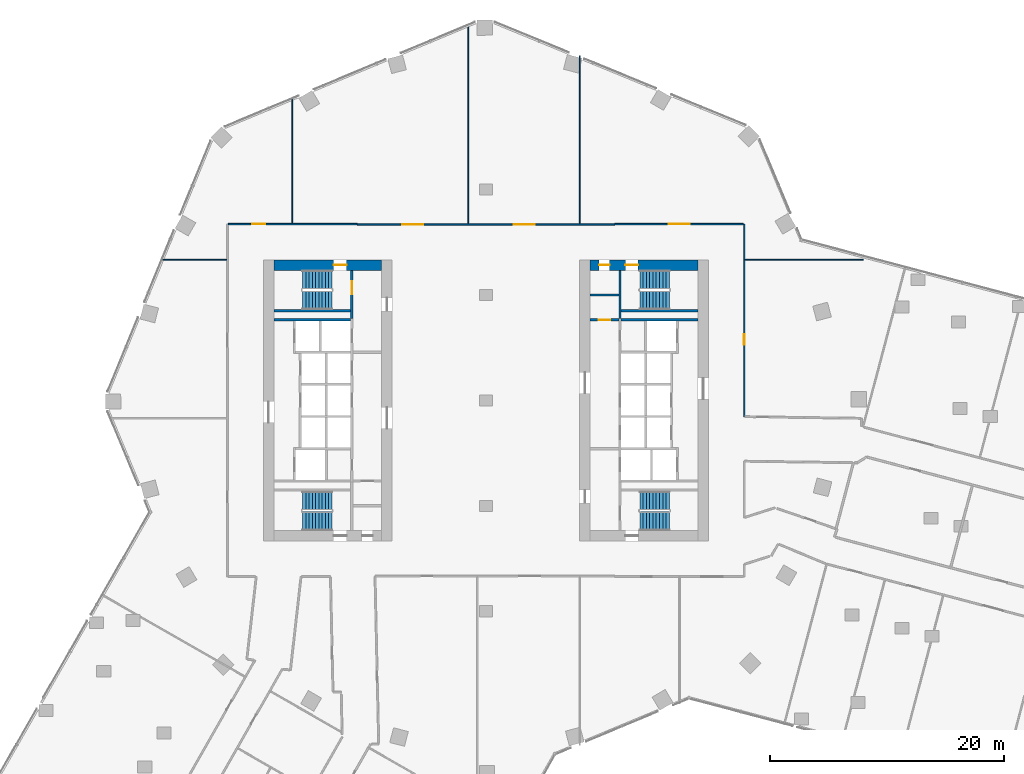
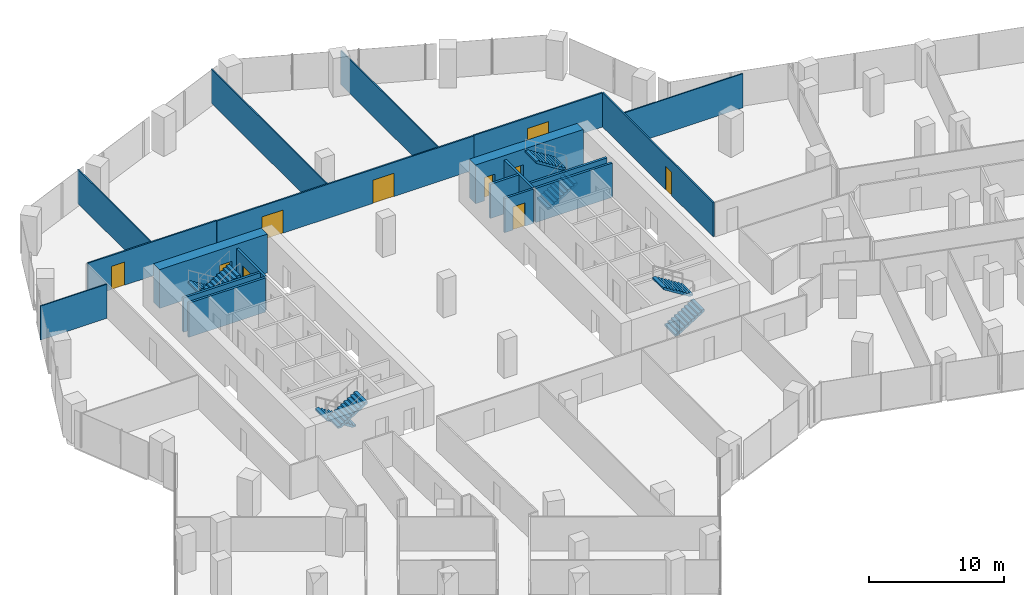
# One storey, part 30 of 34: 19 walls, 10 doors, 8 stair flights, 10 openings, 4 elements without a shape of their own.
"""IFC4 building model written with IfcOpenShell, lengths in metres."""

from ifc_helpers import new_model, si_unit, direction, frame, frame_2d, origin, place, context, subcontext, project, spatial, polyline, rectangle, outline, extrude, material, layer, layer_set, type_object, element, fill, aggregate, save


model = new_model("IFC4")

# Units and contexts
model_context = context("Model", 3, precision=1e-05, world=origin(), true_north=direction((0.0, 1.0)))
body_context = subcontext(model_context, "Body", "Model", "MODEL_VIEW")
ifc_project = project(units=[si_unit("LENGTHUNIT", "METRE"), si_unit("AREAUNIT", "SQUARE_METRE"), si_unit("VOLUMEUNIT", "CUBIC_METRE"), si_unit("PLANEANGLEUNIT", "RADIAN"), si_unit("MASSUNIT", "GRAM", prefix="KILO")], contexts=[model_context])

# Site, building, storey
site_placement = place(None, origin())
site = spatial("IfcSite", under=ifc_project, at=site_placement, CompositionType="ELEMENT")
building_placement = place(site_placement, origin())
building = spatial("IfcBuilding", under=site, at=building_placement, Name="Orlundy Tower", CompositionType="ELEMENT")
storey_placement = place(building_placement, frame((0.0, 0.0, 112.699951171875)))
storey = spatial("IfcBuildingStorey", under=building, at=storey_placement, Name="L28", CompositionType="ELEMENT", Elevation=112.699951171875)

# Wall, opening, door
ifc_material_1 = material(Name="Concrete C80/95", Category="concrete")
ifc_layer_1 = layer(ifc_material_1, 0.89990234375)
ifc_layer_set_1 = layer_set([ifc_layer_1], Name="CORE WALL 900 C80/95")
wall_type_1 = type_object("IfcWallType", Name="CORE WALL 900 C80/95", PredefinedType="SHEAR", material=ifc_layer_set_1)
wall_1_placement = place(storey_placement, frame((-18.10009765625, 11.550048828125, 0.0), z_axis=(0.0, 0.0, 1.0), x_axis=(1.0, 0.0, 0.0)))
wall_1 = element("IfcWall", 1, at=wall_1_placement, inside=storey, type_object=wall_type_1, Name="Core wall W-N L28", PredefinedType="SHEAR", context=body_context, shape_type="SweptSolid", body=[
    extrude(rectangle(XDim=9.2001953125, YDim=0.89990234375, at=frame_2d((4.60009765625, 0.0))), origin(), (0.0, 0.0, 1.0), 3.5),
])
opening_1_placement = place(wall_1_placement, frame((5.10009765625, 0.0, 0.0)))
opening_1 = element("IfcOpeningElement", 2, at=opening_1_placement, cuts=wall_1, Name="Opening 21012", PredefinedType="OPENING", context=body_context, shape_type="SweptSolid", body=[
    extrude(rectangle(XDim=1.10009765625, YDim=2.10009765625, at=frame_2d((0.550048828125, 1.050048828125))), frame((0.0, 0.4599609375, 0.0), z_axis=(0.0, -1.0, 0.0), x_axis=(1.0, 0.0, 0.0)), (0.0, 0.0, 1.0), 0.919921875),
])
ifc_material_2 = material(Name="Steel door set", Category="steel")
door_type_1 = type_object("IfcDoorType", Name="Stair Door 1100x2100", OperationType="SINGLE_SWING_LEFT", PredefinedType="DOOR", material=ifc_material_2)
door_1_placement = place(opening_1_placement, origin())
door_1 = element("IfcDoor", 3, at=door_1_placement, inside=storey, type_object=door_type_1, Name="Stair door 21012", OperationType="SINGLE_SWING_RIGHT", OverallHeight=2.10009765625, OverallWidth=1.10009765625, PredefinedType="DOOR", context=body_context, shape_type="SweptSolid", body=[
    extrude(rectangle(XDim=1.10009765625, YDim=2.10009765625, at=frame_2d((0.550048828125, 1.050048828125))), frame((0.0, 0.02490234375, 0.0), z_axis=(0.0, -1.0, 0.0), x_axis=(1.0, 0.0, 0.0)), (0.0, 0.0, 1.0), 0.050048828125),
])
fill(opening_1, door_1)

# Wall, openings, doors
wall_2_placement = place(storey_placement, frame((8.89990234375, 11.550048828125, 0.0), z_axis=(0.0, 0.0, 1.0), x_axis=(1.0, 0.0, 0.0)))
wall_2 = element("IfcWall", 4, at=wall_2_placement, inside=storey, type_object=wall_type_1, Name="Core wall E-N L28", PredefinedType="SHEAR", context=body_context, shape_type="SweptSolid", body=[
    extrude(rectangle(XDim=9.2001953125, YDim=0.89990234375, at=frame_2d((4.60009765625, 0.0))), origin(), (0.0, 0.0, 1.0), 3.5),
])
opening_2_placement = place(wall_2_placement, frame((3.0, 0.0, 0.0)))
opening_2 = element("IfcOpeningElement", 5, at=opening_2_placement, cuts=wall_2, Name="Opening 21062", PredefinedType="OPENING", context=body_context, shape_type="SweptSolid", body=[
    extrude(rectangle(XDim=1.10009765625, YDim=2.10009765625, at=frame_2d((0.550048828125, 1.050048828125))), frame((0.0, 0.4599609375, 0.0), z_axis=(0.0, -1.0, 0.0), x_axis=(1.0, 0.0, 0.0)), (0.0, 0.0, 1.0), 0.919921875),
])
opening_3_placement = place(wall_2_placement, frame((0.77001953125, 0.0, 0.0)))
opening_3 = element("IfcOpeningElement", 6, at=opening_3_placement, cuts=wall_2, Name="Opening 21064", PredefinedType="OPENING", context=body_context, shape_type="SweptSolid", body=[
    extrude(rectangle(XDim=0.89990234375, YDim=2.10009765625, at=frame_2d((0.449951171875, 1.050048828125))), frame((0.0, 0.4599609375, 0.0), z_axis=(0.0, -1.0, 0.0), x_axis=(1.0, 0.0, 0.0)), (0.0, 0.0, 1.0), 0.919921875),
])
ifc_material_3 = material(Name="Timber door set", Category="wood")
door_type_2 = type_object("IfcDoorType", Name="Room Door 900x2100", OperationType="SINGLE_SWING_LEFT", PredefinedType="DOOR", material=ifc_material_3)
door_2_placement = place(opening_3_placement, origin())
door_2 = element("IfcDoor", 7, at=door_2_placement, inside=storey, type_object=door_type_2, Name="Store door 21064", OperationType="SINGLE_SWING_LEFT", OverallHeight=2.10009765625, OverallWidth=0.89990234375, PredefinedType="DOOR", context=body_context, shape_type="SweptSolid", body=[
    extrude(rectangle(XDim=0.89990234375, YDim=2.10009765625, at=frame_2d((0.449951171875, 1.050048828125))), frame((0.0, 0.02490234375, 0.0), z_axis=(0.0, -1.0, 0.0), x_axis=(1.0, 0.0, 0.0)), (0.0, 0.0, 1.0), 0.050048828125),
])
fill(opening_3, door_2)
door_3_placement = place(opening_2_placement, origin())
door_3 = element("IfcDoor", 8, at=door_3_placement, inside=storey, type_object=door_type_1, Name="Stair door 21062", OperationType="SINGLE_SWING_LEFT", OverallHeight=2.10009765625, OverallWidth=1.10009765625, PredefinedType="DOOR", context=body_context, shape_type="SweptSolid", body=[
    extrude(rectangle(XDim=1.10009765625, YDim=2.10009765625, at=frame_2d((0.550048828125, 1.050048828125))), frame((0.0, 0.02490234375, 0.0), z_axis=(0.0, -1.0, 0.0), x_axis=(1.0, 0.0, 0.0)), (0.0, 0.0, 1.0), 0.050048828125),
])
fill(opening_2, door_3)

# Walls
ifc_material_4 = material(Name="Gypsum board partition")
ifc_layer_2 = layer(ifc_material_4, 0.10009765625)
ifc_layer_set_2 = layer_set([ifc_layer_2], Name="Floor partition 100")
wall_type_2 = type_object("IfcWallType", Name="Floor partition 100", PredefinedType="PARTITIONING", material=ifc_layer_set_2)
wall_3_placement = place(storey_placement, frame((-27.77392578125, 12.0, 0.0), z_axis=(0.0, 0.0, 1.0), x_axis=(1.0, 0.0, 0.0)))
element("IfcWall", 9, at=wall_3_placement, inside=storey, type_object=wall_type_2, Name="wall-int-L28-036", PredefinedType="PARTITIONING", context=body_context, shape_type="SweptSolid", body=[
    extrude(rectangle(XDim=5.660888671875, YDim=0.10009765625, at=frame_2d((2.83056640625, 0.0))), origin(), (0.0, 0.0, 1.0), 3.080078125),
])
wall_4_placement = place(storey_placement, frame((22.113037109375, 12.0, 0.0), z_axis=(0.0, 0.0, 1.0), x_axis=(1.0, 0.0, 0.0)))
element("IfcWall", 10, at=wall_4_placement, inside=storey, type_object=wall_type_2, Name="wall-int-L28-037", PredefinedType="PARTITIONING", context=body_context, shape_type="SweptSolid", body=[
    extrude(rectangle(XDim=10.113037109375, YDim=0.10009765625, at=frame_2d((5.056640625, 0.0))), origin(), (0.0, 0.0, 1.0), 3.080078125),
])
wall_5_placement = place(storey_placement, frame((8.0, 15.06298828125, 0.0), z_axis=(0.0, 0.0, 1.0), x_axis=(0.0, 1.0, 0.0)))
element("IfcWall", 11, at=wall_5_placement, inside=storey, type_object=wall_type_2, Name="wall-int-L28-078", PredefinedType="PARTITIONING", context=body_context, shape_type="SweptSolid", body=[
    extrude(rectangle(XDim=14.35400390625, YDim=0.10009765625, at=frame_2d((7.177001953125, 0.0))), origin(), (0.0, 0.0, 1.0), 3.080078125),
])
wall_6_placement = place(storey_placement, frame((-1.4951171875, 15.06298828125, 0.0), z_axis=(0.0, 0.0, 1.0), x_axis=(0.0, 1.0, 0.0)))
element("IfcWall", 12, at=wall_6_placement, inside=storey, type_object=wall_type_2, Name="wall-int-L28-080", PredefinedType="PARTITIONING", context=body_context, shape_type="SweptSolid", body=[
    extrude(rectangle(XDim=17.094970703125, YDim=0.10009765625, at=frame_2d((8.54736328125, 0.0))), origin(), (0.0, 0.0, 1.0), 3.080078125),
])
wall_7_placement = place(storey_placement, frame((-16.52001953125, 15.114013671875, 0.0), z_axis=(0.0, 0.0, 1.0), x_axis=(0.0, 1.0, 0.0)))
element("IfcWall", 13, at=wall_7_placement, inside=storey, type_object=wall_type_2, Name="wall-int-L28-081", PredefinedType="PARTITIONING", context=body_context, shape_type="SweptSolid", body=[
    extrude(rectangle(XDim=10.76904296875, YDim=0.10009765625, at=frame_2d((5.384521484375, 0.0))), origin(), (0.0, 0.0, 1.0), 3.080078125),
])

# Wall, openings, doors
ifc_material_5 = material(Name="Gypsum board partition, double layer")
ifc_layer_3 = layer(ifc_material_5, 0.125)
ifc_layer_set_3 = layer_set([ifc_layer_3], Name="Floor partition 125")
wall_type_3 = type_object("IfcWallType", Name="Floor partition 125", PredefinedType="PARTITIONING", material=ifc_layer_set_3)
wall_8_placement = place(storey_placement, frame((-10.989990234375, 15.0009765625, 0.0), z_axis=(0.0, 0.0, 1.0), x_axis=(1.0, 0.0, 0.0)))
wall_8 = element("IfcWall", 14, at=wall_8_placement, inside=storey, type_object=wall_type_3, Name="wall-int-L28-038", PredefinedType="PARTITIONING", context=body_context, shape_type="SweptSolid", body=[
    extrude(rectangle(XDim=21.97998046875, YDim=0.125, at=frame_2d((10.989990234375, 0.0))), origin(), (0.0, 0.0, 1.0), 3.080078125),
])
opening_4_placement = place(wall_8_placement, frame((13.344970703125, 0.0, 0.0)))
opening_4 = element("IfcOpeningElement", 15, at=opening_4_placement, cuts=wall_8, Name="Opening 21130", PredefinedType="OPENING", context=body_context, shape_type="SweptSolid", body=[
    extrude(rectangle(XDim=1.800048828125, YDim=2.10009765625, at=frame_2d((0.89990234375, 1.050048828125))), frame((0.0, 0.072509765625, 0.0), z_axis=(0.0, -1.0, 0.0), x_axis=(1.0, 0.0, 0.0)), (0.0, 0.0, 1.0), 0.14501953125),
])
opening_5_placement = place(wall_8_placement, frame((3.85009765625, 0.0, 0.0)))
opening_5 = element("IfcOpeningElement", 16, at=opening_5_placement, cuts=wall_8, Name="Opening 21131", PredefinedType="OPENING", context=body_context, shape_type="SweptSolid", body=[
    extrude(rectangle(XDim=1.800048828125, YDim=2.10009765625, at=frame_2d((0.89990234375, 1.050048828125))), frame((0.0, 0.072509765625, 0.0), z_axis=(0.0, -1.0, 0.0), x_axis=(1.0, 0.0, 0.0)), (0.0, 0.0, 1.0), 0.14501953125),
])
ifc_material_6 = material(Name="Timber door leaf", Category="wood")
door_type_3 = type_object("IfcDoorType", Name="Floor door double 1800 FD30S", OperationType="NOTDEFINED", PredefinedType="DOOR", material=ifc_material_6)
door_4_placement = place(opening_4_placement, origin())
door_4 = element("IfcDoor", 17, at=door_4_placement, inside=storey, type_object=door_type_3, Name="Door 21130", OperationType="DOUBLE_DOOR_SINGLE_SWING", OverallHeight=2.10009765625, OverallWidth=1.800048828125, PredefinedType="DOOR", context=body_context, shape_type="SweptSolid", body=[
    extrude(rectangle(XDim=1.800048828125, YDim=2.10009765625, at=frame_2d((0.89990234375, 1.050048828125))), frame((0.0, 0.02490234375, 0.0), z_axis=(0.0, -1.0, 0.0), x_axis=(1.0, 0.0, 0.0)), (0.0, 0.0, 1.0), 0.050048828125),
])
fill(opening_4, door_4)
door_5_placement = place(opening_5_placement, origin())
door_5 = element("IfcDoor", 18, at=door_5_placement, inside=storey, type_object=door_type_3, Name="Door 21131", OperationType="DOUBLE_DOOR_SINGLE_SWING", OverallHeight=2.10009765625, OverallWidth=1.800048828125, PredefinedType="DOOR", context=body_context, shape_type="SweptSolid", body=[
    extrude(rectangle(XDim=1.800048828125, YDim=2.10009765625, at=frame_2d((0.89990234375, 1.050048828125))), frame((0.0, 0.02490234375, 0.0), z_axis=(0.0, -1.0, 0.0), x_axis=(1.0, 0.0, 0.0)), (0.0, 0.0, 1.0), 0.050048828125),
])
fill(opening_5, door_5)

# Wall, opening, door
wall_9_placement = place(storey_placement, frame((-21.988037109375, 15.051025390625, 0.0), z_axis=(0.0, 0.0, 1.0), x_axis=(1.0, 0.0, 0.0)))
wall_9 = element("IfcWall", 19, at=wall_9_placement, inside=storey, type_object=wall_type_3, Name="wall-int-L28-039", PredefinedType="PARTITIONING", context=body_context, shape_type="SweptSolid", body=[
    extrude(rectangle(XDim=10.9970703125, YDim=0.125, at=frame_2d((5.49853515625, 0.0))), origin(), (0.0, 0.0, 1.0), 3.080078125),
])
opening_6_placement = place(wall_9_placement, frame((2.03759765625, 0.0, 0.0)))
opening_6 = element("IfcOpeningElement", 20, at=opening_6_placement, cuts=wall_9, Name="Opening 21132", PredefinedType="OPENING", context=body_context, shape_type="SweptSolid", body=[
    extrude(rectangle(XDim=1.10009765625, YDim=2.10009765625, at=frame_2d((0.550048828125, 1.050048828125))), frame((0.0, 0.072509765625, 0.0), z_axis=(0.0, -1.0, 0.0), x_axis=(1.0, 0.0, 0.0)), (0.0, 0.0, 1.0), 0.14501953125),
])
ifc_material_7 = material(Name="Timber door leaf", Category="wood")
door_type_4 = type_object("IfcDoorType", Name="Floor door xwide 1100 FD30S", OperationType="NOTDEFINED", PredefinedType="DOOR", material=ifc_material_7)
door_6_placement = place(opening_6_placement, origin())
door_6 = element("IfcDoor", 21, at=door_6_placement, inside=storey, type_object=door_type_4, Name="Door 21132", OperationType="SINGLE_SWING_LEFT", OverallHeight=2.10009765625, OverallWidth=1.10009765625, PredefinedType="DOOR", context=body_context, shape_type="SweptSolid", body=[
    extrude(rectangle(XDim=1.10009765625, YDim=2.10009765625, at=frame_2d((0.550048828125, 1.050048828125))), frame((0.0, 0.02490234375, 0.0), z_axis=(0.0, -1.0, 0.0), x_axis=(1.0, 0.0, 0.0)), (0.0, 0.0, 1.0), 0.050048828125),
])
fill(opening_6, door_6)

wall_10_placement = place(storey_placement, frame((10.990966796875, 15.051025390625, 0.0), z_axis=(0.0, 0.0, 1.0), x_axis=(1.0, 0.0, 0.0)))
wall_10 = element("IfcWall", 22, at=wall_10_placement, inside=storey, type_object=wall_type_3, Name="wall-int-L28-040", PredefinedType="PARTITIONING", context=body_context, shape_type="SweptSolid", body=[
    extrude(rectangle(XDim=10.9970703125, YDim=0.125, at=frame_2d((5.49853515625, 0.0))), origin(), (0.0, 0.0, 1.0), 3.080078125),
])
opening_7_placement = place(wall_10_placement, frame((4.60009765625, 0.0, 0.0)))
opening_7 = element("IfcOpeningElement", 23, at=opening_7_placement, cuts=wall_10, Name="Opening 21129", PredefinedType="OPENING", context=body_context, shape_type="SweptSolid", body=[
    extrude(rectangle(XDim=1.800048828125, YDim=2.10009765625, at=frame_2d((0.89990234375, 1.050048828125))), frame((0.0, 0.072509765625, 0.0), z_axis=(0.0, -1.0, 0.0), x_axis=(1.0, 0.0, 0.0)), (0.0, 0.0, 1.0), 0.14501953125),
])
door_7_placement = place(opening_7_placement, origin())
door_7 = element("IfcDoor", 24, at=door_7_placement, inside=storey, type_object=door_type_3, Name="Door 21129", OperationType="DOUBLE_DOOR_SINGLE_SWING", OverallHeight=2.10009765625, OverallWidth=1.800048828125, PredefinedType="DOOR", context=body_context, shape_type="SweptSolid", body=[
    extrude(rectangle(XDim=1.800048828125, YDim=2.10009765625, at=frame_2d((0.89990234375, 1.050048828125))), frame((0.0, 0.02490234375, 0.0), z_axis=(0.0, -1.0, 0.0), x_axis=(1.0, 0.0, 0.0)), (0.0, 0.0, 1.0), 0.050048828125),
])
fill(opening_7, door_7)

wall_11_placement = place(storey_placement, frame((22.051025390625, 15.050048828125, 0.0), z_axis=(0.0, 0.0, 1.0), x_axis=(0.0, -1.0, 0.0)))
wall_11 = element("IfcWall", 25, at=wall_11_placement, inside=storey, type_object=wall_type_3, Name="wall-int-L28-075", PredefinedType="PARTITIONING", context=body_context, shape_type="SweptSolid", body=[
    extrude(rectangle(XDim=16.43603515625, YDim=0.125, at=frame_2d((8.218017578125, 0.0))), origin(), (0.0, 0.0, 1.0), 3.080078125),
])
opening_8_placement = place(wall_11_placement, frame((9.39990234375, 0.0, 0.0)))
opening_8 = element("IfcOpeningElement", 26, at=opening_8_placement, cuts=wall_11, Name="Opening 21127", PredefinedType="OPENING", context=body_context, shape_type="SweptSolid", body=[
    extrude(rectangle(XDim=0.89990234375, YDim=2.10009765625, at=frame_2d((0.449951171875, 1.050048828125))), frame((0.0, 0.072509765625, 0.0), z_axis=(0.0, -1.0, 0.0), x_axis=(1.0, 0.0, 0.0)), (0.0, 0.0, 1.0), 0.14501953125),
])
ifc_material_8 = material(Name="Timber door leaf", Category="wood")
door_type_5 = type_object("IfcDoorType", Name="Floor door single 900 FD30S", OperationType="NOTDEFINED", PredefinedType="DOOR", material=ifc_material_8)
door_8_placement = place(opening_8_placement, origin())
door_8 = element("IfcDoor", 27, at=door_8_placement, inside=storey, type_object=door_type_5, Name="Door 21127", OperationType="SINGLE_SWING_RIGHT", OverallHeight=2.10009765625, OverallWidth=0.89990234375, PredefinedType="DOOR", context=body_context, shape_type="SweptSolid", body=[
    extrude(rectangle(XDim=0.89990234375, YDim=2.10009765625, at=frame_2d((0.449951171875, 1.050048828125))), frame((0.0, 0.02490234375, 0.0), z_axis=(0.0, -1.0, 0.0), x_axis=(1.0, 0.0, 0.0)), (0.0, 0.0, 1.0), 0.050048828125),
])
fill(opening_8, door_8)

ifc_material_9 = material(Name="Concrete C40/50", Category="concrete")
ifc_layer_4 = layer(ifc_material_9, 0.199951171875)
ifc_layer_set_4 = layer_set([ifc_layer_4], Name="Load-bearing Shaft Wall 200")
wall_type_4 = type_object("IfcWallType", Name="Load-bearing Shaft Wall 200", PredefinedType="SOLIDWALL", material=ifc_layer_set_4)
wall_12_placement = place(storey_placement, frame((-11.43994140625, 6.97509765625, 0.0), z_axis=(0.0, 0.0, 1.0), x_axis=(0.0, 1.0, 0.0)))
wall_12 = element("IfcWall", 28, at=wall_12_placement, inside=storey, type_object=wall_type_4, Name="Shaft wall W21-stair-end-n", PredefinedType="SOLIDWALL", context=body_context, shape_type="SweptSolid", body=[
    extrude(rectangle(XDim=4.125, YDim=0.199951171875, at=frame_2d((2.0625, 0.0))), origin(), (0.0, 0.0, 1.0), 3.090087890625),
])
opening_9_placement = place(wall_12_placement, frame((2.10009765625, 0.0, 0.0)))
opening_9 = element("IfcOpeningElement", 29, at=opening_9_placement, cuts=wall_12, Name="Opening 21014", PredefinedType="OPENING", context=body_context, shape_type="SweptSolid", body=[
    extrude(rectangle(XDim=1.10009765625, YDim=2.10009765625, at=frame_2d((0.550048828125, 1.050048828125))), frame((0.0, 0.110107421875, 0.0), z_axis=(0.0, -1.0, 0.0), x_axis=(1.0, 0.0, 0.0)), (0.0, 0.0, 1.0), 0.22021484375),
])
ifc_material_10 = material(Name="Steel door set", Category="steel")
door_type_6 = type_object("IfcDoorType", Name="Fire-fighting Lobby Door 1100x2100", OperationType="SINGLE_SWING_LEFT", PredefinedType="DOOR", material=ifc_material_10)
door_9_placement = place(opening_9_placement, origin())
door_9 = element("IfcDoor", 30, at=door_9_placement, inside=storey, type_object=door_type_6, Name="Fire-fighting lobby to stair door 21014", OperationType="SINGLE_SWING_RIGHT", OverallHeight=2.10009765625, OverallWidth=1.10009765625, PredefinedType="DOOR", context=body_context, shape_type="SweptSolid", body=[
    extrude(rectangle(XDim=1.10009765625, YDim=2.10009765625, at=frame_2d((0.550048828125, 1.050048828125))), frame((0.0, 0.02490234375, 0.0), z_axis=(0.0, -1.0, 0.0), x_axis=(1.0, 0.0, 0.0)), (0.0, 0.0, 1.0), 0.050048828125),
])
fill(opening_9, door_9)

# Walls
wall_13_placement = place(storey_placement, frame((-11.5400390625, 7.64990234375, 0.0), z_axis=(0.0, 0.0, 1.0), x_axis=(-1.0, 0.0, 0.0)))
element("IfcWall", 31, at=wall_13_placement, inside=storey, type_object=wall_type_4, Name="Shaft wall W21-stair-side-n", PredefinedType="SOLIDWALL", context=body_context, shape_type="SweptSolid", body=[
    extrude(rectangle(XDim=6.56005859375, YDim=0.199951171875, at=frame_2d((3.280029296875, 0.0))), origin(), (0.0, 0.0, 1.0), 3.090087890625),
])
wall_14_placement = place(storey_placement, frame((11.43994140625, 11.10009765625, 0.0), z_axis=(0.0, 0.0, 1.0), x_axis=(0.0, -1.0, 0.0)))
element("IfcWall", 32, at=wall_14_placement, inside=storey, type_object=wall_type_4, Name="Shaft wall E21-stair-end-s", PredefinedType="SOLIDWALL", context=body_context, shape_type="SweptSolid", body=[
    extrude(rectangle(XDim=4.125, YDim=0.199951171875, at=frame_2d((2.0625, 0.0))), origin(), (0.0, 0.0, 1.0), 3.090087890625),
])
wall_15_placement = place(storey_placement, frame((11.5400390625, 7.64990234375, 0.0), z_axis=(0.0, 0.0, 1.0), x_axis=(1.0, 0.0, 0.0)))
element("IfcWall", 33, at=wall_15_placement, inside=storey, type_object=wall_type_4, Name="Shaft wall E21-stair-side-s", PredefinedType="SOLIDWALL", context=body_context, shape_type="SweptSolid", body=[
    extrude(rectangle(XDim=6.56005859375, YDim=0.199951171875, at=frame_2d((3.280029296875, 0.0))), origin(), (0.0, 0.0, 1.0), 3.090087890625),
])

# Wall, opening, door
ifc_material_11 = material(Name="Gypsum board partition on steel studs", Category="steel")
ifc_layer_5 = layer(ifc_material_11, 0.199951171875)
ifc_layer_set_5 = layer_set([ifc_layer_5], Name="Partition 200")
wall_type_5 = type_object("IfcWallType", Name="Partition 200", PredefinedType="PARTITIONING", material=ifc_layer_set_5)
wall_16_placement = place(storey_placement, frame((8.89990234375, 6.875, 0.0), z_axis=(0.0, 0.0, 1.0), x_axis=(1.0, 0.0, 0.0)))
wall_16 = element("IfcWall", 34, at=wall_16_placement, inside=storey, type_object=wall_type_5, Name="Partition wall E21-end-s", PredefinedType="PARTITIONING", context=body_context, shape_type="SweptSolid", body=[
    extrude(rectangle(XDim=2.440185546875, YDim=0.199951171875, at=frame_2d((1.22021484375, 0.0))), origin(), (0.0, 0.0, 1.0), 3.090087890625),
])
opening_10_placement = place(wall_16_placement, frame((0.719970703125, 0.0, 0.0)))
opening_10 = element("IfcOpeningElement", 35, at=opening_10_placement, cuts=wall_16, Name="Opening 21065", PredefinedType="OPENING", context=body_context, shape_type="SweptSolid", body=[
    extrude(rectangle(XDim=1.0, YDim=2.10009765625, at=frame_2d((0.5, 1.050048828125))), frame((0.0, 0.110107421875, 0.0), z_axis=(0.0, -1.0, 0.0), x_axis=(1.0, 0.0, 0.0)), (0.0, 0.0, 1.0), 0.22021484375),
])
ifc_material_12 = material(Name="Timber door set", Category="wood")
door_type_7 = type_object("IfcDoorType", Name="Accessible Door 1000x2100", OperationType="SINGLE_SWING_LEFT", PredefinedType="DOOR", material=ifc_material_12)
door_10_placement = place(opening_10_placement, origin())
door_10 = element("IfcDoor", 36, at=door_10_placement, inside=storey, type_object=door_type_7, Name="Accessible WC door 21065", OperationType="SINGLE_SWING_RIGHT", OverallHeight=2.10009765625, OverallWidth=1.0, PredefinedType="DOOR", context=body_context, shape_type="SweptSolid", body=[
    extrude(rectangle(XDim=1.0, YDim=2.10009765625, at=frame_2d((0.5, 1.050048828125))), frame((0.0, 0.02490234375, 0.0), z_axis=(0.0, -1.0, 0.0), x_axis=(1.0, 0.0, 0.0)), (0.0, 0.0, 1.0), 0.050048828125),
])
fill(opening_10, door_10)

# Walls
wall_17_placement = place(storey_placement, frame((8.89990234375, 9.0, 0.0), z_axis=(0.0, 0.0, 1.0), x_axis=(1.0, 0.0, 0.0)))
element("IfcWall", 37, at=wall_17_placement, inside=storey, type_object=wall_type_5, Name="Partition wall E21-room-s0", PredefinedType="PARTITIONING", context=body_context, shape_type="SweptSolid", body=[
    extrude(rectangle(XDim=2.440185546875, YDim=0.199951171875, at=frame_2d((1.22021484375, 0.0))), origin(), (0.0, 0.0, 1.0), 3.090087890625),
])
ifc_material_13 = material(Name="Fire-rated blockwork shaft wall", Category="masonry")
ifc_layer_6 = layer(ifc_material_13, 0.199951171875)
ifc_layer_set_6 = layer_set([ifc_layer_6], Name="Shaft Wall 200")
wall_type_6 = type_object("IfcWallType", Name="Shaft Wall 200", PredefinedType="SOLIDWALL", material=ifc_layer_set_6)
for number, where, z_axis, x_axis, name in (
    (38, (-11.5400390625, 6.875, 0.0), (0.0, 0.0, 1.0), (-1.0, 0.0, 0.0), "Shaft wall W21-zone-n"),
    (39, (11.5400390625, 6.875, 0.0), (0.0, 0.0, 1.0), (1.0, 0.0, 0.0), "Shaft wall E21-zone-s"),
):
    element("IfcWall", number, at=place(storey_placement, frame(where, z_axis=z_axis, x_axis=x_axis)), inside=storey, type_object=wall_type_6, Name=name, PredefinedType="SOLIDWALL", context=body_context, shape_type="SweptSolid", body=[
        extrude(rectangle(XDim=6.56005859375, YDim=0.199951171875, at=frame_2d((3.280029296875, 0.0))), origin(), (0.0, 0.0, 1.0), 3.090087890625),
    ])

# Stair, stair flights
ifc_material_14 = material(Name="Concrete C50/60", Category="concrete")
stair_type = type_object("IfcStairType", Name="Exit Stair 20 risers", PredefinedType="HALF_TURN_STAIR", material=ifc_material_14)
stair_1_placement = place(storey_placement, origin())
stair_1 = element("IfcStair", 40, at=stair_1_placement, inside=storey, type_object=stair_type, Name="L28 Exit Stair ST-W1", PredefinedType="HALF_TURN_STAIR")
ifc_material_15 = material(Name="Concrete C50/60", Category="concrete")
stair_flight_type = type_object("IfcStairFlightType", Name="Stair Flight 10 risers", PredefinedType="STRAIGHT", material=ifc_material_15)
stair_flight_1_placement = place(storey_placement, frame((-13.139892578125, 10.300048828125, 0.0), z_axis=(0.0, 0.0, 1.0), x_axis=(-1.0, 0.0, 0.0)))
stair_flight_1 = element("IfcStairFlight", 41, at=stair_flight_1_placement, type_object=stair_flight_type, Name="ST-W1 flight 1", NumberOfRisers=10, NumberOfTreads=9, PredefinedType="STRAIGHT", RiserHeight=0.175, TreadLength=0.28, context=body_context, shape_type="SweptSolid", body=[
    extrude(outline(polyline([(0.0, 0.0), (0.0, 0.175048828125), (0.280029296875, 0.175048828125), (0.280029296875, 0.35009765625), (0.56005859375, 0.35009765625), (0.56005859375, 0.52490234375), (0.840087890625, 0.52490234375), (0.840087890625, 0.699951171875), (1.1201171875, 0.699951171875), (1.1201171875, 0.875), (1.39990234375, 0.875), (1.39990234375, 1.050048828125), (1.679931640625, 1.050048828125), (1.679931640625, 1.22509765625), (1.9599609375, 1.22509765625), (1.9599609375, 1.39990234375), (2.239990234375, 1.39990234375), (2.239990234375, 1.574951171875), (2.52001953125, 1.574951171875), (2.52001953125, 1.75), (2.52001953125, 1.398193359375), (0.28271484375, 0.0), (0.0, 0.0)])), frame((0.0, 0.800048828125, 0.0), z_axis=(0.0, -1.0, 0.0), x_axis=(1.0, 0.0, 0.0)), (0.0, 0.0, 1.0), 1.60009765625),
])
stair_flight_2_placement = place(storey_placement, frame((-15.659912109375, 8.550048828125, 1.75), z_axis=(0.0, 0.0, 1.0), x_axis=(1.0, 0.0, 0.0)))
stair_flight_2 = element("IfcStairFlight", 42, at=stair_flight_2_placement, type_object=stair_flight_type, Name="ST-W1 flight 2", NumberOfRisers=10, NumberOfTreads=9, PredefinedType="STRAIGHT", RiserHeight=0.175, TreadLength=0.28, context=body_context, shape_type="SweptSolid", body=[
    extrude(outline(polyline([(0.0, 0.0), (0.0, 0.175048828125), (0.280029296875, 0.175048828125), (0.280029296875, 0.35009765625), (0.56005859375, 0.35009765625), (0.56005859375, 0.52490234375), (0.840087890625, 0.52490234375), (0.840087890625, 0.699951171875), (1.1201171875, 0.699951171875), (1.1201171875, 0.875), (1.39990234375, 0.875), (1.39990234375, 1.050048828125), (1.679931640625, 1.050048828125), (1.679931640625, 1.22509765625), (1.9599609375, 1.22509765625), (1.9599609375, 1.39990234375), (2.239990234375, 1.39990234375), (2.239990234375, 1.574951171875), (2.52001953125, 1.574951171875), (2.52001953125, 1.75), (2.52001953125, 1.398193359375), (0.28271484375, 0.0), (0.0, 0.0)])), frame((0.0, 0.800048828125, 0.0), z_axis=(0.0, -1.0, 0.0), x_axis=(1.0, 0.0, 0.0)), (0.0, 0.0, 1.0), 1.60009765625),
])
aggregate(stair_1, [stair_flight_1, stair_flight_2])

stair_2_placement = place(storey_placement, origin())
stair_2 = element("IfcStair", 43, at=stair_2_placement, inside=storey, type_object=stair_type, Name="L28 Exit Stair ST-W2", PredefinedType="HALF_TURN_STAIR")
stair_flight_3_placement = place(storey_placement, frame((-13.139892578125, -8.550048828125, 0.0), z_axis=(0.0, 0.0, 1.0), x_axis=(-1.0, 0.0, 0.0)))
stair_flight_3 = element("IfcStairFlight", 44, at=stair_flight_3_placement, type_object=stair_flight_type, Name="ST-W2 flight 1", NumberOfRisers=10, NumberOfTreads=9, PredefinedType="STRAIGHT", RiserHeight=0.175, TreadLength=0.28, context=body_context, shape_type="SweptSolid", body=[
    extrude(outline(polyline([(0.0, 0.0), (0.0, 0.175048828125), (0.280029296875, 0.175048828125), (0.280029296875, 0.35009765625), (0.56005859375, 0.35009765625), (0.56005859375, 0.52490234375), (0.840087890625, 0.52490234375), (0.840087890625, 0.699951171875), (1.1201171875, 0.699951171875), (1.1201171875, 0.875), (1.39990234375, 0.875), (1.39990234375, 1.050048828125), (1.679931640625, 1.050048828125), (1.679931640625, 1.22509765625), (1.9599609375, 1.22509765625), (1.9599609375, 1.39990234375), (2.239990234375, 1.39990234375), (2.239990234375, 1.574951171875), (2.52001953125, 1.574951171875), (2.52001953125, 1.75), (2.52001953125, 1.398193359375), (0.28271484375, 0.0), (0.0, 0.0)])), frame((0.0, 0.800048828125, 0.0), z_axis=(0.0, -1.0, 0.0), x_axis=(1.0, 0.0, 0.0)), (0.0, 0.0, 1.0), 1.60009765625),
])
stair_flight_4_placement = place(storey_placement, frame((-15.659912109375, -10.300048828125, 1.75), z_axis=(0.0, 0.0, 1.0), x_axis=(1.0, 0.0, 0.0)))
stair_flight_4 = element("IfcStairFlight", 45, at=stair_flight_4_placement, type_object=stair_flight_type, Name="ST-W2 flight 2", NumberOfRisers=10, NumberOfTreads=9, PredefinedType="STRAIGHT", RiserHeight=0.175, TreadLength=0.28, context=body_context, shape_type="SweptSolid", body=[
    extrude(outline(polyline([(0.0, 0.0), (0.0, 0.175048828125), (0.280029296875, 0.175048828125), (0.280029296875, 0.35009765625), (0.56005859375, 0.35009765625), (0.56005859375, 0.52490234375), (0.840087890625, 0.52490234375), (0.840087890625, 0.699951171875), (1.1201171875, 0.699951171875), (1.1201171875, 0.875), (1.39990234375, 0.875), (1.39990234375, 1.050048828125), (1.679931640625, 1.050048828125), (1.679931640625, 1.22509765625), (1.9599609375, 1.22509765625), (1.9599609375, 1.39990234375), (2.239990234375, 1.39990234375), (2.239990234375, 1.574951171875), (2.52001953125, 1.574951171875), (2.52001953125, 1.75), (2.52001953125, 1.398193359375), (0.28271484375, 0.0), (0.0, 0.0)])), frame((0.0, 0.800048828125, 0.0), z_axis=(0.0, -1.0, 0.0), x_axis=(1.0, 0.0, 0.0)), (0.0, 0.0, 1.0), 1.60009765625),
])
aggregate(stair_2, [stair_flight_3, stair_flight_4])

stair_3_placement = place(storey_placement, origin())
stair_3 = element("IfcStair", 46, at=stair_3_placement, inside=storey, type_object=stair_type, Name="L28 Exit Stair ST-E1", PredefinedType="HALF_TURN_STAIR")
stair_flight_5_placement = place(storey_placement, frame((13.139892578125, -10.300048828125, 0.0), z_axis=(0.0, 0.0, 1.0), x_axis=(1.0, 0.0, 0.0)))
stair_flight_5 = element("IfcStairFlight", 47, at=stair_flight_5_placement, type_object=stair_flight_type, Name="ST-E1 flight 1", NumberOfRisers=10, NumberOfTreads=9, PredefinedType="STRAIGHT", RiserHeight=0.175, TreadLength=0.28, context=body_context, shape_type="SweptSolid", body=[
    extrude(outline(polyline([(0.0, 0.0), (0.0, 0.175048828125), (0.280029296875, 0.175048828125), (0.280029296875, 0.35009765625), (0.56005859375, 0.35009765625), (0.56005859375, 0.52490234375), (0.840087890625, 0.52490234375), (0.840087890625, 0.699951171875), (1.1201171875, 0.699951171875), (1.1201171875, 0.875), (1.39990234375, 0.875), (1.39990234375, 1.050048828125), (1.679931640625, 1.050048828125), (1.679931640625, 1.22509765625), (1.9599609375, 1.22509765625), (1.9599609375, 1.39990234375), (2.239990234375, 1.39990234375), (2.239990234375, 1.574951171875), (2.52001953125, 1.574951171875), (2.52001953125, 1.75), (2.52001953125, 1.398193359375), (0.28271484375, 0.0), (0.0, 0.0)])), frame((0.0, 0.800048828125, 0.0), z_axis=(0.0, -1.0, 0.0), x_axis=(1.0, 0.0, 0.0)), (0.0, 0.0, 1.0), 1.60009765625),
])
stair_flight_6_placement = place(storey_placement, frame((15.659912109375, -8.550048828125, 1.75), z_axis=(0.0, 0.0, 1.0), x_axis=(-1.0, 0.0, 0.0)))
stair_flight_6 = element("IfcStairFlight", 48, at=stair_flight_6_placement, type_object=stair_flight_type, Name="ST-E1 flight 2", NumberOfRisers=10, NumberOfTreads=9, PredefinedType="STRAIGHT", RiserHeight=0.175, TreadLength=0.28, context=body_context, shape_type="SweptSolid", body=[
    extrude(outline(polyline([(0.0, 0.0), (0.0, 0.175048828125), (0.280029296875, 0.175048828125), (0.280029296875, 0.35009765625), (0.56005859375, 0.35009765625), (0.56005859375, 0.52490234375), (0.840087890625, 0.52490234375), (0.840087890625, 0.699951171875), (1.1201171875, 0.699951171875), (1.1201171875, 0.875), (1.39990234375, 0.875), (1.39990234375, 1.050048828125), (1.679931640625, 1.050048828125), (1.679931640625, 1.22509765625), (1.9599609375, 1.22509765625), (1.9599609375, 1.39990234375), (2.239990234375, 1.39990234375), (2.239990234375, 1.574951171875), (2.52001953125, 1.574951171875), (2.52001953125, 1.75), (2.52001953125, 1.398193359375), (0.28271484375, 0.0), (0.0, 0.0)])), frame((0.0, 0.800048828125, 0.0), z_axis=(0.0, -1.0, 0.0), x_axis=(1.0, 0.0, 0.0)), (0.0, 0.0, 1.0), 1.60009765625),
])
aggregate(stair_3, [stair_flight_5, stair_flight_6])

stair_4_placement = place(storey_placement, origin())
stair_4 = element("IfcStair", 49, at=stair_4_placement, inside=storey, type_object=stair_type, Name="L28 Exit Stair ST-E2", PredefinedType="HALF_TURN_STAIR")
stair_flight_7_placement = place(storey_placement, frame((13.139892578125, 8.550048828125, 0.0), z_axis=(0.0, 0.0, 1.0), x_axis=(1.0, 0.0, 0.0)))
stair_flight_7 = element("IfcStairFlight", 50, at=stair_flight_7_placement, type_object=stair_flight_type, Name="ST-E2 flight 1", NumberOfRisers=10, NumberOfTreads=9, PredefinedType="STRAIGHT", RiserHeight=0.175, TreadLength=0.28, context=body_context, shape_type="SweptSolid", body=[
    extrude(outline(polyline([(0.0, 0.0), (0.0, 0.175048828125), (0.280029296875, 0.175048828125), (0.280029296875, 0.35009765625), (0.56005859375, 0.35009765625), (0.56005859375, 0.52490234375), (0.840087890625, 0.52490234375), (0.840087890625, 0.699951171875), (1.1201171875, 0.699951171875), (1.1201171875, 0.875), (1.39990234375, 0.875), (1.39990234375, 1.050048828125), (1.679931640625, 1.050048828125), (1.679931640625, 1.22509765625), (1.9599609375, 1.22509765625), (1.9599609375, 1.39990234375), (2.239990234375, 1.39990234375), (2.239990234375, 1.574951171875), (2.52001953125, 1.574951171875), (2.52001953125, 1.75), (2.52001953125, 1.398193359375), (0.28271484375, 0.0), (0.0, 0.0)])), frame((0.0, 0.800048828125, 0.0), z_axis=(0.0, -1.0, 0.0), x_axis=(1.0, 0.0, 0.0)), (0.0, 0.0, 1.0), 1.60009765625),
])
stair_flight_8_placement = place(storey_placement, frame((15.659912109375, 10.300048828125, 1.75), z_axis=(0.0, 0.0, 1.0), x_axis=(-1.0, 0.0, 0.0)))
stair_flight_8 = element("IfcStairFlight", 51, at=stair_flight_8_placement, type_object=stair_flight_type, Name="ST-E2 flight 2", NumberOfRisers=10, NumberOfTreads=9, PredefinedType="STRAIGHT", RiserHeight=0.175, TreadLength=0.28, context=body_context, shape_type="SweptSolid", body=[
    extrude(outline(polyline([(0.0, 0.0), (0.0, 0.175048828125), (0.280029296875, 0.175048828125), (0.280029296875, 0.35009765625), (0.56005859375, 0.35009765625), (0.56005859375, 0.52490234375), (0.840087890625, 0.52490234375), (0.840087890625, 0.699951171875), (1.1201171875, 0.699951171875), (1.1201171875, 0.875), (1.39990234375, 0.875), (1.39990234375, 1.050048828125), (1.679931640625, 1.050048828125), (1.679931640625, 1.22509765625), (1.9599609375, 1.22509765625), (1.9599609375, 1.39990234375), (2.239990234375, 1.39990234375), (2.239990234375, 1.574951171875), (2.52001953125, 1.574951171875), (2.52001953125, 1.75), (2.52001953125, 1.398193359375), (0.28271484375, 0.0), (0.0, 0.0)])), frame((0.0, 0.800048828125, 0.0), z_axis=(0.0, -1.0, 0.0), x_axis=(1.0, 0.0, 0.0)), (0.0, 0.0, 1.0), 1.60009765625),
])
aggregate(stair_4, [stair_flight_7, stair_flight_8])

save(model, "model.ifc")
